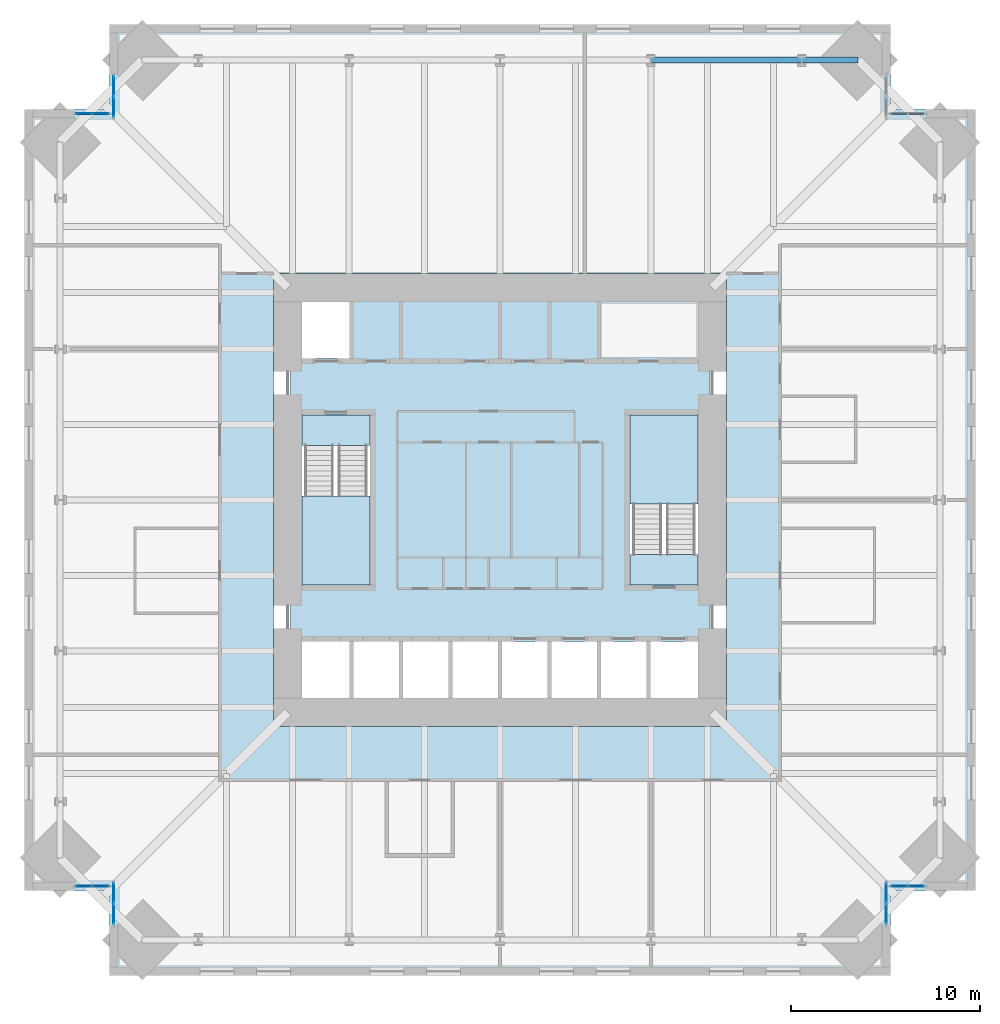
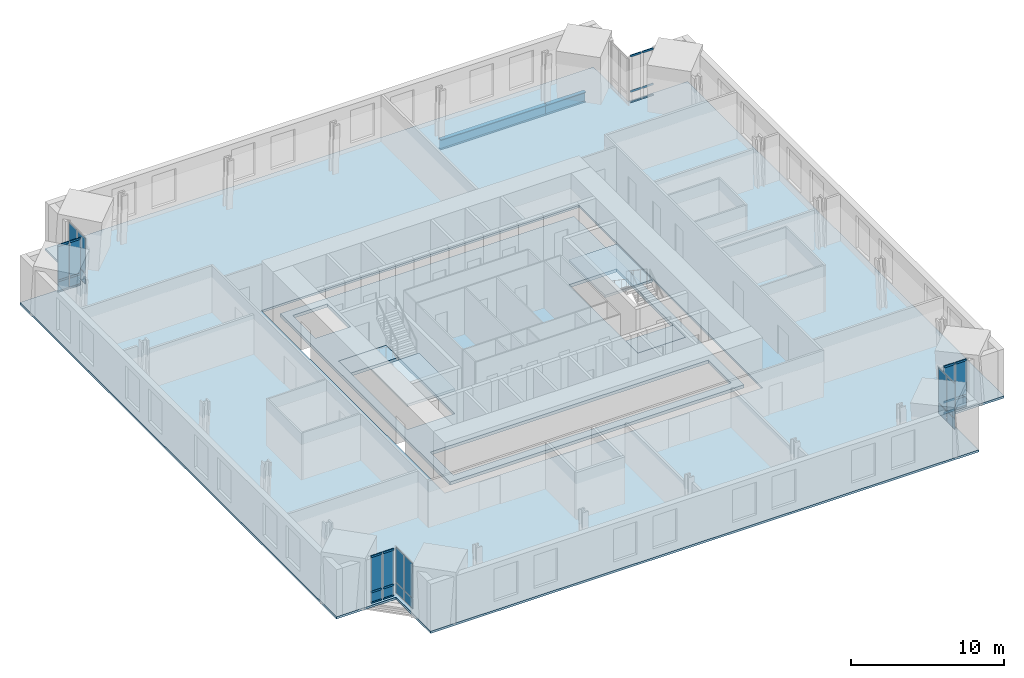
# One storey, part 9 of 15: 24 members, 24 plates, 6 slabs, 2 beams, 9 elements without a shape of their own.
"""IFC4 building model written with IfcOpenShell, lengths in metres."""

from ifc_helpers import new_model, si_unit, direction, frame, origin, origin_2d, place, context, subcontext, project, spatial, polyline, rectangle, hollow_rectangle, i_section, outline, extrude, material, layer, layer_set, material_profile, profile_set, type_object, element, aggregate, save


model = new_model("IFC4")

# Units and contexts
model_context = context("Model", 3, precision=1e-05, world=origin(), true_north=direction((0.0, 1.0)))
body_context = subcontext(model_context, "Body", "Model", "MODEL_VIEW")
ifc_project = project(units=[si_unit("LENGTHUNIT", "METRE"), si_unit("AREAUNIT", "SQUARE_METRE"), si_unit("VOLUMEUNIT", "CUBIC_METRE"), si_unit("PLANEANGLEUNIT", "RADIAN"), si_unit("MASSUNIT", "GRAM", prefix="KILO")], contexts=[model_context])

# Site, building, storey
site_placement = place(None, origin())
site = spatial("IfcSite", under=ifc_project, at=site_placement, CompositionType="ELEMENT")
building_placement = place(site_placement, origin())
building = spatial("IfcBuilding", under=site, at=building_placement, Name="Peilmerk Tower", CompositionType="ELEMENT")
storey_placement = place(building_placement, frame((0.0, 0.0, 187.800048828125)))
storey = spatial("IfcBuildingStorey", under=building, at=storey_placement, Name="L40", CompositionType="ELEMENT", Elevation=187.800048828125)

# Beams
ifc_material_1 = material(Name="Steel S460", Category="steel")
ifc_material_profile_1 = material_profile(ifc_material_1, i_section(OverallWidth=0.302978515625, OverallDepth=0.81396484375, WebThickness=0.02099609375, FlangeThickness=0.0400390625, at=origin_2d()), Name="HEM 800")
ifc_profile_set_1 = profile_set([ifc_material_profile_1], Name="Steel S460")
beam_type = type_object("IfcBeamType", Name="B35 HEM 800 edge beam", PredefinedType="SPANDREL", material=ifc_profile_set_1)
beam_1_placement = place(storey_placement, frame((18.97412109375, 23.32421875, -0.5771484375), z_axis=(-1.0, 0.0, 0.0), x_axis=(0.0, -1.0, 0.0)))
element("IfcBeam", 1, at=beam_1_placement, inside=storey, type_object=beam_type, Name="Edge beam L40", PredefinedType="SPANDREL", context=body_context, shape_type="SweptSolid", body=[
    extrude(i_section(OverallWidth=0.302978515625, OverallDepth=0.81396484375, WebThickness=0.02099609375, FlangeThickness=0.0400390625, at=origin_2d()), origin(), (0.0, 0.0, 1.0), 2.97412109375),
])
beam_2_placement = place(storey_placement, frame((16.0, 23.32421875, -0.5771484375), z_axis=(-1.0, 0.0, 0.0), x_axis=(0.0, -1.0, 0.0)))
element("IfcBeam", 2, at=beam_2_placement, inside=storey, type_object=beam_type, Name="Edge beam L40", PredefinedType="SPANDREL", context=body_context, shape_type="SweptSolid", body=[
    extrude(i_section(OverallWidth=0.302978515625, OverallDepth=0.81396484375, WebThickness=0.02099609375, FlangeThickness=0.0400390625, at=origin_2d()), origin(), (0.0, 0.0, 1.0), 8.0),
])

# Curtain wall, members
ifc_material_2 = material(Name="Aluminium stick curtain wall", Category="aluminium")
curtain_wall_type = type_object("IfcCurtainWallType", Name="CW3 stick curtain wall, 2250 module", PredefinedType="NOTDEFINED", material=ifc_material_2)
curtain_wall_1_placement = place(storey_placement, origin())
curtain_wall_1 = element("IfcCurtainWall", 3, at=curtain_wall_1_placement, inside=storey, type_object=curtain_wall_type, Name="Curtain wall CW3 NEB L40", PredefinedType="NOTDEFINED")
ifc_material_3 = material(Name="Aluminium EN AW-6063 T6", Category="aluminium")
ifc_material_profile_2 = material_profile(ifc_material_3, hollow_rectangle(XDim=0.06494140625, YDim=0.14990234375, WallThickness=0.0029296875, at=origin_2d()), Name="AL 150x65x3")
ifc_profile_set_2 = profile_set([ifc_material_profile_2], Name="Aluminium EN AW-6063 T6")
member_type = type_object("IfcMemberType", Name="CW3-T AL 150x65x3 transom", PredefinedType="USERDEFINED", material=ifc_profile_set_2)
member_1_placement = place(storey_placement, frame((20.764892578125, 20.47509765625, 0.032470703125), z_axis=(1.0, 0.0, 0.0), x_axis=(0.0, 1.0, 0.0)))
member_1 = element("IfcMember", 4, at=member_1_placement, type_object=member_type, Name="CW3 transom 1.1", ObjectType="TRANSOM", PredefinedType="USERDEFINED", context=body_context, shape_type="SweptSolid", body=[
    extrude(hollow_rectangle(XDim=0.06494140625, YDim=0.14990234375, WallThickness=0.0029296875, at=origin_2d()), origin(), (0.0, 0.0, 1.0), 0.822021484375),
])
member_2_placement = place(storey_placement, frame((20.764892578125, 20.47509765625, 0.89990234375), z_axis=(1.0, 0.0, 0.0), x_axis=(0.0, 1.0, 0.0)))
member_2 = element("IfcMember", 5, at=member_2_placement, type_object=member_type, Name="CW3 transom 1.2", ObjectType="TRANSOM", PredefinedType="USERDEFINED", context=body_context, shape_type="SweptSolid", body=[
    extrude(hollow_rectangle(XDim=0.06494140625, YDim=0.14990234375, WallThickness=0.0029296875, at=origin_2d()), origin(), (0.0, 0.0, 1.0), 0.822021484375),
])
member_3_placement = place(storey_placement, frame((20.764892578125, 20.47509765625, 3.717529296875), z_axis=(1.0, 0.0, 0.0), x_axis=(0.0, 1.0, 0.0)))
member_3 = element("IfcMember", 6, at=member_3_placement, type_object=member_type, Name="CW3 transom 1.3", ObjectType="TRANSOM", PredefinedType="USERDEFINED", context=body_context, shape_type="SweptSolid", body=[
    extrude(hollow_rectangle(XDim=0.06494140625, YDim=0.14990234375, WallThickness=0.0029296875, at=origin_2d()), origin(), (0.0, 0.0, 1.0), 0.822021484375),
])
member_4_placement = place(storey_placement, frame((21.65185546875, 20.47509765625, 0.032470703125), z_axis=(1.0, 0.0, 0.0), x_axis=(0.0, 1.0, 0.0)))
member_4 = element("IfcMember", 7, at=member_4_placement, type_object=member_type, Name="CW3 transom 2.1", ObjectType="TRANSOM", PredefinedType="USERDEFINED", context=body_context, shape_type="SweptSolid", body=[
    extrude(hollow_rectangle(XDim=0.06494140625, YDim=0.14990234375, WallThickness=0.0029296875, at=origin_2d()), origin(), (0.0, 0.0, 1.0), 0.82177734375),
])
member_5_placement = place(storey_placement, frame((21.65185546875, 20.47509765625, 0.89990234375), z_axis=(1.0, 0.0, 0.0), x_axis=(0.0, 1.0, 0.0)))
member_5 = element("IfcMember", 8, at=member_5_placement, type_object=member_type, Name="CW3 transom 2.2", ObjectType="TRANSOM", PredefinedType="USERDEFINED", context=body_context, shape_type="SweptSolid", body=[
    extrude(hollow_rectangle(XDim=0.06494140625, YDim=0.14990234375, WallThickness=0.0029296875, at=origin_2d()), origin(), (0.0, 0.0, 1.0), 0.82177734375),
])
member_6_placement = place(storey_placement, frame((21.65185546875, 20.47509765625, 3.717529296875), z_axis=(1.0, 0.0, 0.0), x_axis=(0.0, 1.0, 0.0)))
member_6 = element("IfcMember", 9, at=member_6_placement, type_object=member_type, Name="CW3 transom 2.3", ObjectType="TRANSOM", PredefinedType="USERDEFINED", context=body_context, shape_type="SweptSolid", body=[
    extrude(hollow_rectangle(XDim=0.06494140625, YDim=0.14990234375, WallThickness=0.0029296875, at=origin_2d()), origin(), (0.0, 0.0, 1.0), 0.82177734375),
])
aggregate(curtain_wall_1, [member_1, member_2, member_3, member_4, member_5, member_6])

curtain_wall_2_placement = place(storey_placement, origin())
curtain_wall_2 = element("IfcCurtainWall", 10, at=curtain_wall_2_placement, inside=storey, type_object=curtain_wall_type, Name="Curtain wall CW3 SEB L40", PredefinedType="NOTDEFINED")
member_7_placement = place(storey_placement, frame((20.764892578125, -20.47509765625, 0.032470703125), z_axis=(1.0, 0.0, 0.0), x_axis=(0.0, 1.0, 0.0)))
member_7 = element("IfcMember", 11, at=member_7_placement, type_object=member_type, Name="CW3 transom 1.1", ObjectType="TRANSOM", PredefinedType="USERDEFINED", context=body_context, shape_type="SweptSolid", body=[
    extrude(hollow_rectangle(XDim=0.06494140625, YDim=0.14990234375, WallThickness=0.0029296875, at=origin_2d()), origin(), (0.0, 0.0, 1.0), 0.822021484375),
])
member_8_placement = place(storey_placement, frame((20.764892578125, -20.47509765625, 0.89990234375), z_axis=(1.0, 0.0, 0.0), x_axis=(0.0, 1.0, 0.0)))
member_8 = element("IfcMember", 12, at=member_8_placement, type_object=member_type, Name="CW3 transom 1.2", ObjectType="TRANSOM", PredefinedType="USERDEFINED", context=body_context, shape_type="SweptSolid", body=[
    extrude(hollow_rectangle(XDim=0.06494140625, YDim=0.14990234375, WallThickness=0.0029296875, at=origin_2d()), origin(), (0.0, 0.0, 1.0), 0.822021484375),
])
member_9_placement = place(storey_placement, frame((20.764892578125, -20.47509765625, 3.717529296875), z_axis=(1.0, 0.0, 0.0), x_axis=(0.0, 1.0, 0.0)))
member_9 = element("IfcMember", 13, at=member_9_placement, type_object=member_type, Name="CW3 transom 1.3", ObjectType="TRANSOM", PredefinedType="USERDEFINED", context=body_context, shape_type="SweptSolid", body=[
    extrude(hollow_rectangle(XDim=0.06494140625, YDim=0.14990234375, WallThickness=0.0029296875, at=origin_2d()), origin(), (0.0, 0.0, 1.0), 0.822021484375),
])
member_10_placement = place(storey_placement, frame((21.65185546875, -20.47509765625, 0.032470703125), z_axis=(1.0, 0.0, 0.0), x_axis=(0.0, 1.0, 0.0)))
member_10 = element("IfcMember", 14, at=member_10_placement, type_object=member_type, Name="CW3 transom 2.1", ObjectType="TRANSOM", PredefinedType="USERDEFINED", context=body_context, shape_type="SweptSolid", body=[
    extrude(hollow_rectangle(XDim=0.06494140625, YDim=0.14990234375, WallThickness=0.0029296875, at=origin_2d()), origin(), (0.0, 0.0, 1.0), 0.82177734375),
])
member_11_placement = place(storey_placement, frame((21.65185546875, -20.47509765625, 0.89990234375), z_axis=(1.0, 0.0, 0.0), x_axis=(0.0, 1.0, 0.0)))
member_11 = element("IfcMember", 15, at=member_11_placement, type_object=member_type, Name="CW3 transom 2.2", ObjectType="TRANSOM", PredefinedType="USERDEFINED", context=body_context, shape_type="SweptSolid", body=[
    extrude(hollow_rectangle(XDim=0.06494140625, YDim=0.14990234375, WallThickness=0.0029296875, at=origin_2d()), origin(), (0.0, 0.0, 1.0), 0.82177734375),
])
member_12_placement = place(storey_placement, frame((21.65185546875, -20.47509765625, 3.717529296875), z_axis=(1.0, 0.0, 0.0), x_axis=(0.0, 1.0, 0.0)))
member_12 = element("IfcMember", 16, at=member_12_placement, type_object=member_type, Name="CW3 transom 2.3", ObjectType="TRANSOM", PredefinedType="USERDEFINED", context=body_context, shape_type="SweptSolid", body=[
    extrude(hollow_rectangle(XDim=0.06494140625, YDim=0.14990234375, WallThickness=0.0029296875, at=origin_2d()), origin(), (0.0, 0.0, 1.0), 0.82177734375),
])

curtain_wall_3_placement = place(storey_placement, origin())
curtain_wall_3 = element("IfcCurtainWall", 17, at=curtain_wall_3_placement, inside=storey, type_object=curtain_wall_type, Name="Curtain wall CW3 SWB L40", PredefinedType="NOTDEFINED")
member_13_placement = place(storey_placement, frame((-20.764892578125, -20.47509765625, 0.032470703125), z_axis=(-1.0, 0.0, 0.0), x_axis=(0.0, -1.0, 0.0)))
member_13 = element("IfcMember", 18, at=member_13_placement, type_object=member_type, Name="CW3 transom 1.1", ObjectType="TRANSOM", PredefinedType="USERDEFINED", context=body_context, shape_type="SweptSolid", body=[
    extrude(hollow_rectangle(XDim=0.06494140625, YDim=0.14990234375, WallThickness=0.0029296875, at=origin_2d()), origin(), (0.0, 0.0, 1.0), 0.822021484375),
])
member_14_placement = place(storey_placement, frame((-20.764892578125, -20.47509765625, 0.89990234375), z_axis=(-1.0, 0.0, 0.0), x_axis=(0.0, -1.0, 0.0)))
member_14 = element("IfcMember", 19, at=member_14_placement, type_object=member_type, Name="CW3 transom 1.2", ObjectType="TRANSOM", PredefinedType="USERDEFINED", context=body_context, shape_type="SweptSolid", body=[
    extrude(hollow_rectangle(XDim=0.06494140625, YDim=0.14990234375, WallThickness=0.0029296875, at=origin_2d()), origin(), (0.0, 0.0, 1.0), 0.822021484375),
])
member_15_placement = place(storey_placement, frame((-20.764892578125, -20.47509765625, 3.717529296875), z_axis=(-1.0, 0.0, 0.0), x_axis=(0.0, -1.0, 0.0)))
member_15 = element("IfcMember", 20, at=member_15_placement, type_object=member_type, Name="CW3 transom 1.3", ObjectType="TRANSOM", PredefinedType="USERDEFINED", context=body_context, shape_type="SweptSolid", body=[
    extrude(hollow_rectangle(XDim=0.06494140625, YDim=0.14990234375, WallThickness=0.0029296875, at=origin_2d()), origin(), (0.0, 0.0, 1.0), 0.822021484375),
])
member_16_placement = place(storey_placement, frame((-21.65185546875, -20.47509765625, 0.032470703125), z_axis=(-1.0, 0.0, 0.0), x_axis=(0.0, -1.0, 0.0)))
member_16 = element("IfcMember", 21, at=member_16_placement, type_object=member_type, Name="CW3 transom 2.1", ObjectType="TRANSOM", PredefinedType="USERDEFINED", context=body_context, shape_type="SweptSolid", body=[
    extrude(hollow_rectangle(XDim=0.06494140625, YDim=0.14990234375, WallThickness=0.0029296875, at=origin_2d()), origin(), (0.0, 0.0, 1.0), 0.82177734375),
])
member_17_placement = place(storey_placement, frame((-21.65185546875, -20.47509765625, 0.89990234375), z_axis=(-1.0, 0.0, 0.0), x_axis=(0.0, -1.0, 0.0)))
member_17 = element("IfcMember", 22, at=member_17_placement, type_object=member_type, Name="CW3 transom 2.2", ObjectType="TRANSOM", PredefinedType="USERDEFINED", context=body_context, shape_type="SweptSolid", body=[
    extrude(hollow_rectangle(XDim=0.06494140625, YDim=0.14990234375, WallThickness=0.0029296875, at=origin_2d()), origin(), (0.0, 0.0, 1.0), 0.82177734375),
])
member_18_placement = place(storey_placement, frame((-21.65185546875, -20.47509765625, 3.717529296875), z_axis=(-1.0, 0.0, 0.0), x_axis=(0.0, -1.0, 0.0)))
member_18 = element("IfcMember", 23, at=member_18_placement, type_object=member_type, Name="CW3 transom 2.3", ObjectType="TRANSOM", PredefinedType="USERDEFINED", context=body_context, shape_type="SweptSolid", body=[
    extrude(hollow_rectangle(XDim=0.06494140625, YDim=0.14990234375, WallThickness=0.0029296875, at=origin_2d()), origin(), (0.0, 0.0, 1.0), 0.82177734375),
])

curtain_wall_4_placement = place(storey_placement, origin())
curtain_wall_4 = element("IfcCurtainWall", 24, at=curtain_wall_4_placement, inside=storey, type_object=curtain_wall_type, Name="Curtain wall CW3 NWB L40", PredefinedType="NOTDEFINED")
member_19_placement = place(storey_placement, frame((-20.764892578125, 20.47509765625, 0.032470703125), z_axis=(-1.0, 0.0, 0.0), x_axis=(0.0, -1.0, 0.0)))
member_19 = element("IfcMember", 25, at=member_19_placement, type_object=member_type, Name="CW3 transom 1.1", ObjectType="TRANSOM", PredefinedType="USERDEFINED", context=body_context, shape_type="SweptSolid", body=[
    extrude(hollow_rectangle(XDim=0.06494140625, YDim=0.14990234375, WallThickness=0.0029296875, at=origin_2d()), origin(), (0.0, 0.0, 1.0), 0.822021484375),
])
member_20_placement = place(storey_placement, frame((-20.764892578125, 20.47509765625, 0.89990234375), z_axis=(-1.0, 0.0, 0.0), x_axis=(0.0, -1.0, 0.0)))
member_20 = element("IfcMember", 26, at=member_20_placement, type_object=member_type, Name="CW3 transom 1.2", ObjectType="TRANSOM", PredefinedType="USERDEFINED", context=body_context, shape_type="SweptSolid", body=[
    extrude(hollow_rectangle(XDim=0.06494140625, YDim=0.14990234375, WallThickness=0.0029296875, at=origin_2d()), origin(), (0.0, 0.0, 1.0), 0.822021484375),
])
member_21_placement = place(storey_placement, frame((-20.764892578125, 20.47509765625, 3.717529296875), z_axis=(-1.0, 0.0, 0.0), x_axis=(0.0, -1.0, 0.0)))
member_21 = element("IfcMember", 27, at=member_21_placement, type_object=member_type, Name="CW3 transom 1.3", ObjectType="TRANSOM", PredefinedType="USERDEFINED", context=body_context, shape_type="SweptSolid", body=[
    extrude(hollow_rectangle(XDim=0.06494140625, YDim=0.14990234375, WallThickness=0.0029296875, at=origin_2d()), origin(), (0.0, 0.0, 1.0), 0.822021484375),
])
member_22_placement = place(storey_placement, frame((-21.65185546875, 20.47509765625, 0.032470703125), z_axis=(-1.0, 0.0, 0.0), x_axis=(0.0, -1.0, 0.0)))
member_22 = element("IfcMember", 28, at=member_22_placement, type_object=member_type, Name="CW3 transom 2.1", ObjectType="TRANSOM", PredefinedType="USERDEFINED", context=body_context, shape_type="SweptSolid", body=[
    extrude(hollow_rectangle(XDim=0.06494140625, YDim=0.14990234375, WallThickness=0.0029296875, at=origin_2d()), origin(), (0.0, 0.0, 1.0), 0.82177734375),
])
member_23_placement = place(storey_placement, frame((-21.65185546875, 20.47509765625, 0.89990234375), z_axis=(-1.0, 0.0, 0.0), x_axis=(0.0, -1.0, 0.0)))
member_23 = element("IfcMember", 29, at=member_23_placement, type_object=member_type, Name="CW3 transom 2.2", ObjectType="TRANSOM", PredefinedType="USERDEFINED", context=body_context, shape_type="SweptSolid", body=[
    extrude(hollow_rectangle(XDim=0.06494140625, YDim=0.14990234375, WallThickness=0.0029296875, at=origin_2d()), origin(), (0.0, 0.0, 1.0), 0.82177734375),
])
member_24_placement = place(storey_placement, frame((-21.65185546875, 20.47509765625, 3.717529296875), z_axis=(-1.0, 0.0, 0.0), x_axis=(0.0, -1.0, 0.0)))
member_24 = element("IfcMember", 30, at=member_24_placement, type_object=member_type, Name="CW3 transom 2.3", ObjectType="TRANSOM", PredefinedType="USERDEFINED", context=body_context, shape_type="SweptSolid", body=[
    extrude(hollow_rectangle(XDim=0.06494140625, YDim=0.14990234375, WallThickness=0.0029296875, at=origin_2d()), origin(), (0.0, 0.0, 1.0), 0.82177734375),
])

# Slab
ifc_material_4 = material(Name="Concrete C55/67", Category="concrete")
ifc_layer_1 = layer(ifc_material_4, 0.25)
ifc_layer_set_1 = layer_set([ifc_layer_1], Name="Concrete C55/67")
slab_type_1 = type_object("IfcSlabType", Name="CS250 250 core floor slab", PredefinedType="FLOOR", material=ifc_layer_set_1)
slab_1_placement = place(storey_placement, frame((0.0, 0.0, -0.25)))
element("IfcSlab", 31, at=slab_1_placement, inside=storey, type_object=slab_type_1, Name="Core slab L40", PredefinedType="FLOOR", context=body_context, shape_type="SweptSolid", body=[
    extrude(outline(polyline([(11.10009765625, 11.10009765625), (-11.10009765625, 11.10009765625), (-11.10009765625, -11.10009765625), (11.10009765625, -11.10009765625), (11.10009765625, 11.10009765625)]), holes=[polyline([(-10.5, 7.5), (-10.5, 10.5), (-7.875, 10.5), (-7.875, 7.5), (-10.5, 7.5)]), polyline([(-10.5, -10.5), (-10.5, -7.5), (10.5, -7.5), (10.5, -10.5), (-10.5, -10.5)]), polyline([(-10.5, 4.5), (-6.89990234375, 4.5), (-6.89990234375, -4.5), (-10.5, -4.5), (-10.5, 4.5)]), polyline([(10.5, 4.5), (10.5, -4.5), (6.89990234375, -4.5), (6.89990234375, 4.5), (10.5, 4.5)])]), origin(), (0.0, 0.0, 1.0), 0.25),
])

# Curtain wall, plates
curtain_wall_5_placement = place(storey_placement, origin())
curtain_wall_5 = element("IfcCurtainWall", 32, at=curtain_wall_5_placement, inside=storey, type_object=curtain_wall_type, Name="Curtain wall CW3 SEA L40", PredefinedType="NOTDEFINED")
ifc_material_5 = material(Name="Clear insulated glazing unit", Category="glass")
ifc_layer_2 = layer(ifc_material_5, 0.028076171875)
ifc_layer_set_2 = layer_set([ifc_layer_2], Name="Clear insulated glazing unit")
plate_type = type_object("IfcPlateType", Name="CW3-P 28 glazed panel", PredefinedType="CURTAIN_PANEL", material=ifc_layer_set_2)
plate_1_placement = place(storey_placement, frame((20.47509765625, -20.83837890625, 0.06494140625), z_axis=(0.0, 0.0, 1.0), x_axis=(0.0, -1.0, 0.0)))
plate_1 = element("IfcPlate", 33, at=plate_1_placement, type_object=plate_type, Name="CW3 panel 1.1", PredefinedType="CURTAIN_PANEL", context=body_context, shape_type="SweptSolid", body=[
    extrude(rectangle(XDim=1.046875, YDim=0.028076171875, at=origin_2d()), origin(), (0.0, 0.0, 1.0), 0.802490234375),
])
plate_2_placement = place(storey_placement, frame((20.47509765625, -20.83837890625, 0.932373046875), z_axis=(0.0, 0.0, 1.0), x_axis=(0.0, -1.0, 0.0)))
plate_2 = element("IfcPlate", 34, at=plate_2_placement, type_object=plate_type, Name="CW3 panel 1.2", PredefinedType="CURTAIN_PANEL", context=body_context, shape_type="SweptSolid", body=[
    extrude(rectangle(XDim=1.046875, YDim=0.028076171875, at=origin_2d()), origin(), (0.0, 0.0, 1.0), 2.75244140625),
])
plate_3_placement = place(storey_placement, frame((20.47509765625, -21.9501953125, 0.06494140625), z_axis=(0.0, 0.0, 1.0), x_axis=(0.0, -1.0, 0.0)))
plate_3 = element("IfcPlate", 35, at=plate_3_placement, type_object=plate_type, Name="CW3 panel 2.1", PredefinedType="CURTAIN_PANEL", context=body_context, shape_type="SweptSolid", body=[
    extrude(rectangle(XDim=1.046875, YDim=0.028076171875, at=origin_2d()), origin(), (0.0, 0.0, 1.0), 0.802490234375),
])
plate_4_placement = place(storey_placement, frame((20.47509765625, -21.9501953125, 0.932373046875), z_axis=(0.0, 0.0, 1.0), x_axis=(0.0, -1.0, 0.0)))
plate_4 = element("IfcPlate", 36, at=plate_4_placement, type_object=plate_type, Name="CW3 panel 2.2", PredefinedType="CURTAIN_PANEL", context=body_context, shape_type="SweptSolid", body=[
    extrude(rectangle(XDim=1.046875, YDim=0.028076171875, at=origin_2d()), origin(), (0.0, 0.0, 1.0), 2.75244140625),
])
aggregate(curtain_wall_5, [plate_1, plate_2, plate_3, plate_4])

# Plate
plate_5_placement = place(storey_placement, frame((21.176025390625, -20.47509765625, 0.06494140625), z_axis=(0.0, 0.0, 1.0), x_axis=(1.0, 0.0, 0.0)))
plate_5 = element("IfcPlate", 37, at=plate_5_placement, type_object=plate_type, Name="CW3 panel 1.1", PredefinedType="CURTAIN_PANEL", context=body_context, shape_type="SweptSolid", body=[
    extrude(rectangle(XDim=0.82177734375, YDim=0.028076171875, at=origin_2d()), origin(), (0.0, 0.0, 1.0), 0.802490234375),
])

plate_6_placement = place(storey_placement, frame((21.176025390625, -20.47509765625, 0.932373046875), z_axis=(0.0, 0.0, 1.0), x_axis=(1.0, 0.0, 0.0)))
plate_6 = element("IfcPlate", 38, at=plate_6_placement, type_object=plate_type, Name="CW3 panel 1.2", PredefinedType="CURTAIN_PANEL", context=body_context, shape_type="SweptSolid", body=[
    extrude(rectangle(XDim=0.82177734375, YDim=0.028076171875, at=origin_2d()), origin(), (0.0, 0.0, 1.0), 2.75244140625),
])

plate_7_placement = place(storey_placement, frame((22.062744140625, -20.47509765625, 0.06494140625), z_axis=(0.0, 0.0, 1.0), x_axis=(1.0, 0.0, 0.0)))
plate_7 = element("IfcPlate", 39, at=plate_7_placement, type_object=plate_type, Name="CW3 panel 2.1", PredefinedType="CURTAIN_PANEL", context=body_context, shape_type="SweptSolid", body=[
    extrude(rectangle(XDim=0.82177734375, YDim=0.028076171875, at=origin_2d()), origin(), (0.0, 0.0, 1.0), 0.802490234375),
])

plate_8_placement = place(storey_placement, frame((22.062744140625, -20.47509765625, 0.932373046875), z_axis=(0.0, 0.0, 1.0), x_axis=(1.0, 0.0, 0.0)))
plate_8 = element("IfcPlate", 40, at=plate_8_placement, type_object=plate_type, Name="CW3 panel 2.2", PredefinedType="CURTAIN_PANEL", context=body_context, shape_type="SweptSolid", body=[
    extrude(rectangle(XDim=0.82177734375, YDim=0.028076171875, at=origin_2d()), origin(), (0.0, 0.0, 1.0), 2.75244140625),
])

aggregate(curtain_wall_2, [member_7, member_8, member_9, plate_5, plate_6, member_10, member_11, member_12, plate_7, plate_8])

# Curtain wall, plates
curtain_wall_6_placement = place(storey_placement, origin())
curtain_wall_6 = element("IfcCurtainWall", 41, at=curtain_wall_6_placement, inside=storey, type_object=curtain_wall_type, Name="Curtain wall CW3 SWA L40", PredefinedType="NOTDEFINED")
plate_9_placement = place(storey_placement, frame((-20.47509765625, -20.83837890625, 0.06494140625), z_axis=(0.0, 0.0, 1.0), x_axis=(0.0, -1.0, 0.0)))
plate_9 = element("IfcPlate", 42, at=plate_9_placement, type_object=plate_type, Name="CW3 panel 1.1", PredefinedType="CURTAIN_PANEL", context=body_context, shape_type="SweptSolid", body=[
    extrude(rectangle(XDim=1.046875, YDim=0.028076171875, at=origin_2d()), origin(), (0.0, 0.0, 1.0), 0.802490234375),
])
plate_10_placement = place(storey_placement, frame((-20.47509765625, -20.83837890625, 0.932373046875), z_axis=(0.0, 0.0, 1.0), x_axis=(0.0, -1.0, 0.0)))
plate_10 = element("IfcPlate", 43, at=plate_10_placement, type_object=plate_type, Name="CW3 panel 1.2", PredefinedType="CURTAIN_PANEL", context=body_context, shape_type="SweptSolid", body=[
    extrude(rectangle(XDim=1.046875, YDim=0.028076171875, at=origin_2d()), origin(), (0.0, 0.0, 1.0), 2.75244140625),
])
plate_11_placement = place(storey_placement, frame((-20.47509765625, -21.9501953125, 0.06494140625), z_axis=(0.0, 0.0, 1.0), x_axis=(0.0, -1.0, 0.0)))
plate_11 = element("IfcPlate", 44, at=plate_11_placement, type_object=plate_type, Name="CW3 panel 2.1", PredefinedType="CURTAIN_PANEL", context=body_context, shape_type="SweptSolid", body=[
    extrude(rectangle(XDim=1.046875, YDim=0.028076171875, at=origin_2d()), origin(), (0.0, 0.0, 1.0), 0.802490234375),
])
plate_12_placement = place(storey_placement, frame((-20.47509765625, -21.9501953125, 0.932373046875), z_axis=(0.0, 0.0, 1.0), x_axis=(0.0, -1.0, 0.0)))
plate_12 = element("IfcPlate", 45, at=plate_12_placement, type_object=plate_type, Name="CW3 panel 2.2", PredefinedType="CURTAIN_PANEL", context=body_context, shape_type="SweptSolid", body=[
    extrude(rectangle(XDim=1.046875, YDim=0.028076171875, at=origin_2d()), origin(), (0.0, 0.0, 1.0), 2.75244140625),
])
aggregate(curtain_wall_6, [plate_9, plate_10, plate_11, plate_12])

# Plate
plate_13_placement = place(storey_placement, frame((-21.176025390625, -20.47509765625, 0.06494140625), z_axis=(0.0, 0.0, 1.0), x_axis=(-1.0, 0.0, 0.0)))
plate_13 = element("IfcPlate", 46, at=plate_13_placement, type_object=plate_type, Name="CW3 panel 1.1", PredefinedType="CURTAIN_PANEL", context=body_context, shape_type="SweptSolid", body=[
    extrude(rectangle(XDim=0.82177734375, YDim=0.028076171875, at=origin_2d()), origin(), (0.0, 0.0, 1.0), 0.802490234375),
])

plate_14_placement = place(storey_placement, frame((-21.176025390625, -20.47509765625, 0.932373046875), z_axis=(0.0, 0.0, 1.0), x_axis=(-1.0, 0.0, 0.0)))
plate_14 = element("IfcPlate", 47, at=plate_14_placement, type_object=plate_type, Name="CW3 panel 1.2", PredefinedType="CURTAIN_PANEL", context=body_context, shape_type="SweptSolid", body=[
    extrude(rectangle(XDim=0.82177734375, YDim=0.028076171875, at=origin_2d()), origin(), (0.0, 0.0, 1.0), 2.75244140625),
])

plate_15_placement = place(storey_placement, frame((-22.062744140625, -20.47509765625, 0.06494140625), z_axis=(0.0, 0.0, 1.0), x_axis=(-1.0, 0.0, 0.0)))
plate_15 = element("IfcPlate", 48, at=plate_15_placement, type_object=plate_type, Name="CW3 panel 2.1", PredefinedType="CURTAIN_PANEL", context=body_context, shape_type="SweptSolid", body=[
    extrude(rectangle(XDim=0.82177734375, YDim=0.028076171875, at=origin_2d()), origin(), (0.0, 0.0, 1.0), 0.802490234375),
])

plate_16_placement = place(storey_placement, frame((-22.062744140625, -20.47509765625, 0.932373046875), z_axis=(0.0, 0.0, 1.0), x_axis=(-1.0, 0.0, 0.0)))
plate_16 = element("IfcPlate", 49, at=plate_16_placement, type_object=plate_type, Name="CW3 panel 2.2", PredefinedType="CURTAIN_PANEL", context=body_context, shape_type="SweptSolid", body=[
    extrude(rectangle(XDim=0.82177734375, YDim=0.028076171875, at=origin_2d()), origin(), (0.0, 0.0, 1.0), 2.75244140625),
])

aggregate(curtain_wall_3, [member_13, member_14, member_15, plate_13, plate_14, member_16, member_17, member_18, plate_15, plate_16])

# Curtain wall, plates
curtain_wall_7_placement = place(storey_placement, origin())
curtain_wall_7 = element("IfcCurtainWall", 50, at=curtain_wall_7_placement, inside=storey, type_object=curtain_wall_type, Name="Curtain wall CW3 NWA L40", PredefinedType="NOTDEFINED")
plate_17_placement = place(storey_placement, frame((-20.47509765625, 20.83837890625, 0.06494140625), z_axis=(0.0, 0.0, 1.0), x_axis=(0.0, 1.0, 0.0)))
plate_17 = element("IfcPlate", 51, at=plate_17_placement, type_object=plate_type, Name="CW3 panel 1.1", PredefinedType="CURTAIN_PANEL", context=body_context, shape_type="SweptSolid", body=[
    extrude(rectangle(XDim=1.046875, YDim=0.028076171875, at=origin_2d()), origin(), (0.0, 0.0, 1.0), 0.802490234375),
])
plate_18_placement = place(storey_placement, frame((-20.47509765625, 20.83837890625, 0.932373046875), z_axis=(0.0, 0.0, 1.0), x_axis=(0.0, 1.0, 0.0)))
plate_18 = element("IfcPlate", 52, at=plate_18_placement, type_object=plate_type, Name="CW3 panel 1.2", PredefinedType="CURTAIN_PANEL", context=body_context, shape_type="SweptSolid", body=[
    extrude(rectangle(XDim=1.046875, YDim=0.028076171875, at=origin_2d()), origin(), (0.0, 0.0, 1.0), 2.75244140625),
])
plate_19_placement = place(storey_placement, frame((-20.47509765625, 21.9501953125, 0.06494140625), z_axis=(0.0, 0.0, 1.0), x_axis=(0.0, 1.0, 0.0)))
plate_19 = element("IfcPlate", 53, at=plate_19_placement, type_object=plate_type, Name="CW3 panel 2.1", PredefinedType="CURTAIN_PANEL", context=body_context, shape_type="SweptSolid", body=[
    extrude(rectangle(XDim=1.046875, YDim=0.028076171875, at=origin_2d()), origin(), (0.0, 0.0, 1.0), 0.802490234375),
])
plate_20_placement = place(storey_placement, frame((-20.47509765625, 21.9501953125, 0.932373046875), z_axis=(0.0, 0.0, 1.0), x_axis=(0.0, 1.0, 0.0)))
plate_20 = element("IfcPlate", 54, at=plate_20_placement, type_object=plate_type, Name="CW3 panel 2.2", PredefinedType="CURTAIN_PANEL", context=body_context, shape_type="SweptSolid", body=[
    extrude(rectangle(XDim=1.046875, YDim=0.028076171875, at=origin_2d()), origin(), (0.0, 0.0, 1.0), 2.75244140625),
])
aggregate(curtain_wall_7, [plate_17, plate_18, plate_19, plate_20])

# Plate
plate_21_placement = place(storey_placement, frame((-21.176025390625, 20.47509765625, 0.06494140625), z_axis=(0.0, 0.0, 1.0), x_axis=(-1.0, 0.0, 0.0)))
plate_21 = element("IfcPlate", 55, at=plate_21_placement, type_object=plate_type, Name="CW3 panel 1.1", PredefinedType="CURTAIN_PANEL", context=body_context, shape_type="SweptSolid", body=[
    extrude(rectangle(XDim=0.82177734375, YDim=0.028076171875, at=origin_2d()), origin(), (0.0, 0.0, 1.0), 0.802490234375),
])

plate_22_placement = place(storey_placement, frame((-21.176025390625, 20.47509765625, 0.932373046875), z_axis=(0.0, 0.0, 1.0), x_axis=(-1.0, 0.0, 0.0)))
plate_22 = element("IfcPlate", 56, at=plate_22_placement, type_object=plate_type, Name="CW3 panel 1.2", PredefinedType="CURTAIN_PANEL", context=body_context, shape_type="SweptSolid", body=[
    extrude(rectangle(XDim=0.82177734375, YDim=0.028076171875, at=origin_2d()), origin(), (0.0, 0.0, 1.0), 2.75244140625),
])

plate_23_placement = place(storey_placement, frame((-22.062744140625, 20.47509765625, 0.06494140625), z_axis=(0.0, 0.0, 1.0), x_axis=(-1.0, 0.0, 0.0)))
plate_23 = element("IfcPlate", 57, at=plate_23_placement, type_object=plate_type, Name="CW3 panel 2.1", PredefinedType="CURTAIN_PANEL", context=body_context, shape_type="SweptSolid", body=[
    extrude(rectangle(XDim=0.82177734375, YDim=0.028076171875, at=origin_2d()), origin(), (0.0, 0.0, 1.0), 0.802490234375),
])

plate_24_placement = place(storey_placement, frame((-22.062744140625, 20.47509765625, 0.932373046875), z_axis=(0.0, 0.0, 1.0), x_axis=(-1.0, 0.0, 0.0)))
plate_24 = element("IfcPlate", 58, at=plate_24_placement, type_object=plate_type, Name="CW3 panel 2.2", PredefinedType="CURTAIN_PANEL", context=body_context, shape_type="SweptSolid", body=[
    extrude(rectangle(XDim=0.82177734375, YDim=0.028076171875, at=origin_2d()), origin(), (0.0, 0.0, 1.0), 2.75244140625),
])

aggregate(curtain_wall_4, [member_19, member_20, member_21, plate_21, plate_22, member_22, member_23, member_24, plate_23, plate_24])

# Slab
ifc_material_6 = material(Name="Concrete C35/45", Category="concrete")
ifc_layer_3 = layer(ifc_material_6, 0.169921875)
ifc_layer_set_3 = layer_set([ifc_layer_3], Name="Concrete C35/45")
slab_type_2 = type_object("IfcSlabType", Name="FS170 170 composite floor slab", PredefinedType="FLOOR", material=ifc_layer_set_3)
slab_2_placement = place(storey_placement, frame((0.0, 0.0, -0.170166015625)))
element("IfcSlab", 59, at=slab_2_placement, inside=storey, type_object=slab_type_2, Name="Floor slab L40", PredefinedType="FLOOR", context=body_context, shape_type="SweptSolid", body=[
    extrude(outline(polyline([(-20.699951171875, -25.199951171875), (20.699951171875, -25.199951171875), (20.699951171875, -20.699951171875), (25.199951171875, -20.699951171875), (25.199951171875, 20.699951171875), (20.699951171875, 20.699951171875), (20.699951171875, 25.199951171875), (-20.699951171875, 25.199951171875), (-20.699951171875, 20.699951171875), (-25.199951171875, 20.699951171875), (-25.199951171875, -20.699951171875), (-20.699951171875, -20.699951171875), (-20.699951171875, -25.199951171875)]), holes=[polyline([(12.0, 12.0), (12.0, -12.0), (-12.0, -12.0), (-12.0, 12.0), (12.0, 12.0)])]), origin(), (0.0, 0.0, 1.0), 0.170166015625),
])

# Stair, slab
ifc_material_7 = material(Name="Precast concrete C45/55", Category="concrete")
stair_type_1 = type_object("IfcStairType", Name="ST1 22 risers of 181.8", PredefinedType="HALF_TURN_STAIR", material=ifc_material_7)
stair_1_placement = place(storey_placement, origin())
stair_1 = element("IfcStair", 60, at=stair_1_placement, inside=storey, type_object=stair_type_1, Name="Stair 1 L40 to L41", PredefinedType="HALF_TURN_STAIR")
ifc_layer_4 = layer(ifc_material_6, 0.199951171875)
ifc_layer_set_4 = layer_set([ifc_layer_4], Name="Concrete C35/45")
slab_type_3 = type_object("IfcSlabType", Name="SL1 200 concrete stair landing", PredefinedType="LANDING", material=ifc_layer_set_4)
slab_3_placement = place(storey_placement, frame((0.0, 0.0, 1.800048828125)))
slab_3 = element("IfcSlab", 61, at=slab_3_placement, type_object=slab_type_3, Name="ST1 landing 1", PredefinedType="LANDING", context=body_context, shape_type="SweptSolid", body=[
    extrude(outline(polyline([(-10.5, -4.5), (-6.89990234375, -4.5), (-6.89990234375, 0.199951171875), (-10.5, 0.199951171875), (-10.5, -4.5)])), origin(), (0.0, 0.0, 1.0), 0.199951171875),
])

stair_type_2 = type_object("IfcStairType", Name="ST2 22 risers of 181.8", PredefinedType="HALF_TURN_STAIR", material=ifc_material_7)
stair_2_placement = place(storey_placement, origin())
stair_2 = element("IfcStair", 62, at=stair_2_placement, inside=storey, type_object=stair_type_2, Name="Stair 2 L40 to L41", PredefinedType="HALF_TURN_STAIR")
slab_4_placement = place(storey_placement, frame((0.0, 0.0, 1.800048828125)))
slab_4 = element("IfcSlab", 63, at=slab_4_placement, type_object=slab_type_3, Name="ST2 landing 1", PredefinedType="LANDING", context=body_context, shape_type="SweptSolid", body=[
    extrude(outline(polyline([(6.89990234375, -0.199951171875), (10.5, -0.199951171875), (10.5, 4.5), (6.89990234375, 4.5), (6.89990234375, -0.199951171875)])), origin(), (0.0, 0.0, 1.0), 0.199951171875),
])

# Slab
ifc_layer_5 = layer(ifc_material_6, 0.25)
ifc_layer_set_5 = layer_set([ifc_layer_5], Name="Concrete C35/45")
slab_type_4 = type_object("IfcSlabType", Name="SL2 250 concrete floor landing", PredefinedType="LANDING", material=ifc_layer_set_5)
slab_5_placement = place(storey_placement, frame((0.0, 0.0, -0.25)))
slab_5 = element("IfcSlab", 64, at=slab_5_placement, type_object=slab_type_4, Name="ST1 floor landing", PredefinedType="LANDING", context=body_context, shape_type="SweptSolid", body=[
    extrude(outline(polyline([(-10.5, 2.89990234375), (-6.89990234375, 2.89990234375), (-6.89990234375, 4.5), (-10.5, 4.5), (-10.5, 2.89990234375)])), origin(), (0.0, 0.0, 1.0), 0.25),
])

aggregate(stair_1, [slab_3, slab_5])

slab_6_placement = place(storey_placement, frame((0.0, 0.0, -0.25)))
slab_6 = element("IfcSlab", 65, at=slab_6_placement, type_object=slab_type_4, Name="ST2 floor landing", PredefinedType="LANDING", context=body_context, shape_type="SweptSolid", body=[
    extrude(outline(polyline([(6.89990234375, -4.5), (10.5, -4.5), (10.5, -2.89990234375), (6.89990234375, -2.89990234375), (6.89990234375, -4.5)])), origin(), (0.0, 0.0, 1.0), 0.25),
])

aggregate(stair_2, [slab_4, slab_6])

save(model, "model.ifc")
